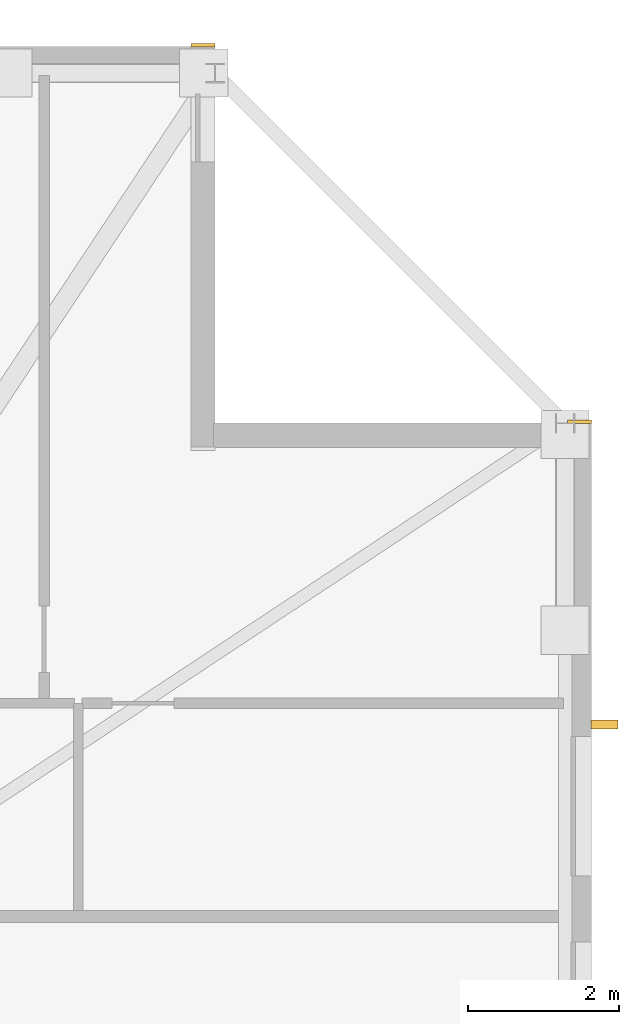
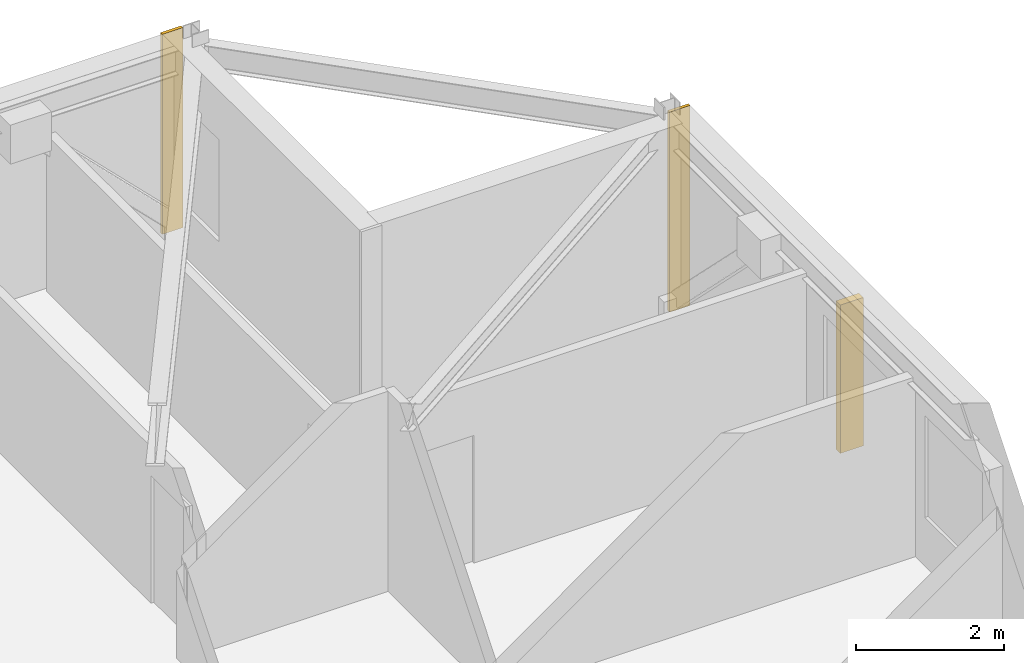
# One storey, part 17 of 17: 2 coverings, 1 shading device.
"""IFC4 building model written with IfcOpenShell, lengths in metres."""

from ifc_helpers import new_model, si_unit, direction, frame, frame_2d, origin, origin_2d, place, context, subcontext, project, spatial, rectangle, extrude, material, layer, layer_set, type_object, element, save


model = new_model("IFC4")

# Units and contexts
model_context = context("Model", 3, precision=1e-05, world=origin(), true_north=direction((0.0, 1.0)))
body_context = subcontext(model_context, "Body", "Model", "MODEL_VIEW")
ifc_project = project(units=[si_unit("LENGTHUNIT", "METRE"), si_unit("AREAUNIT", "SQUARE_METRE"), si_unit("VOLUMEUNIT", "CUBIC_METRE"), si_unit("PLANEANGLEUNIT", "RADIAN"), si_unit("MASSUNIT", "GRAM", prefix="KILO")], contexts=[model_context])

# Site, building, storey
site_placement = place(None, origin())
site = spatial("IfcSite", under=ifc_project, at=site_placement, CompositionType="ELEMENT")
building_placement = place(site_placement, origin())
building = spatial("IfcBuilding", under=site, at=building_placement, Name="Cairnveth Concourse Tower", CompositionType="ELEMENT")
storey_placement = place(building_placement, frame((0.0, 0.0, 209.5)))
storey = spatial("IfcBuildingStorey", under=building, at=storey_placement, Name="L57", CompositionType="ELEMENT", Elevation=209.5)

# Coverings
ifc_material_1 = material(Name="Dressed Melbourne Bluestone Cladding", Category="masonry")
ifc_layer = layer(ifc_material_1, 0.050048828125)
ifc_layer_set = layer_set([ifc_layer], Name="Dressed Melbourne Bluestone Cladding")
covering_type = type_object("IfcCoveringType", Name="DRESSED BLUESTONE PLINTH CLADDING 50", PredefinedType="CLADDING", material=ifc_layer_set)
for number, where, z_axis, x_axis, name in (
    (1, (69.179931640625, 61.52001953125, 0.0), (0.0, 0.0, 1.0), (1.0, 0.0, 0.0), "Melbourne Bluestone Corner Quoin L57-848"),
    (2, (74.179931640625, 56.52001953125, 0.0), (0.0, 0.0, 1.0), (1.0, 0.0, 0.0), "Melbourne Bluestone Corner Quoin L57-850"),
):
    element("IfcCovering", number, at=place(storey_placement, frame(where, z_axis=z_axis, x_axis=x_axis)), inside=storey, type_object=covering_type, Name=name, PredefinedType="CLADDING", context=body_context, shape_type="SweptSolid", body=[
        extrude(rectangle(XDim=0.320068359375, YDim=0.050048828125, at=frame_2d((0.16015625, 0.0))), origin(), (0.0, 0.0, 1.0), 3.2900390625),
    ])

# Shading device
ifc_material_2 = material(Name="Architectural Bronze Anodised Aluminium 6063-T6", Category="aluminium")
shading_device_type = type_object("IfcShadingDeviceType", Name="GOTHIC BRONZE VERTICAL LANCET FIN", PredefinedType="USERDEFINED", material=ifc_material_2)
shading_device_placement = place(storey_placement, frame((74.675048828125, 52.497314453125, 0.030029296875), z_axis=(0.0, 0.0, 1.0), x_axis=(0.0, 1.0, 0.0)))
element("IfcShadingDevice", 3, at=shading_device_placement, inside=storey, type_object=shading_device_type, Name="Gothic Bronze Vertical Fin L57-3-1", ObjectType="VERTICAL FIN", PredefinedType="USERDEFINED", context=body_context, shape_type="SweptSolid", body=[
    extrude(rectangle(XDim=0.1201171875, YDim=0.360107421875, at=origin_2d()), origin(), (0.0, 0.0, 1.0), 2.43798828125),
])

save(model, "model.ifc")
